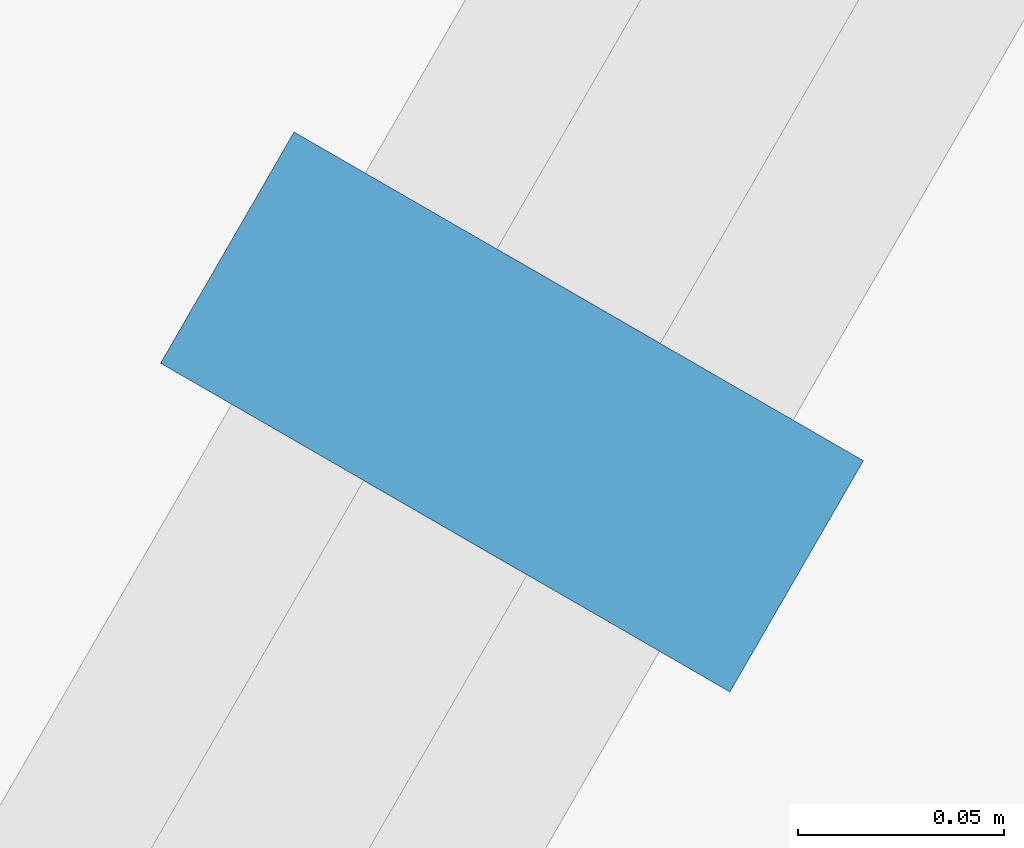
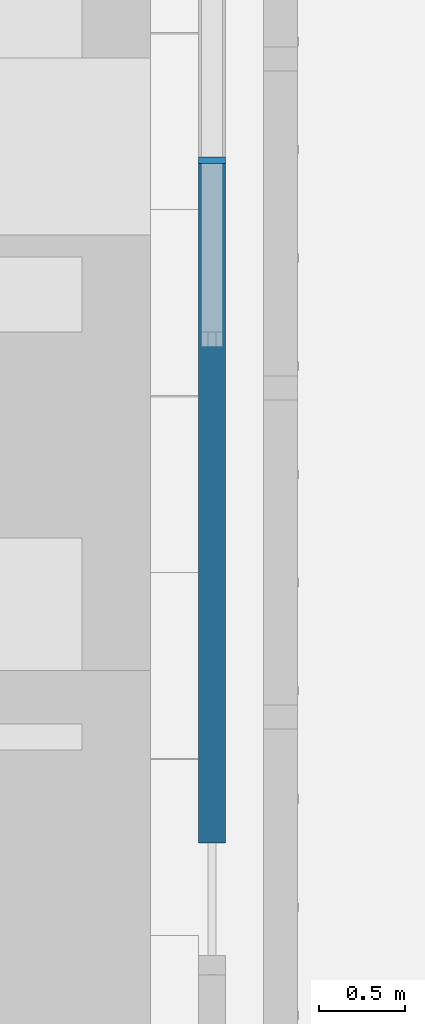
# One storey, part 105 of 228: 1 member, 1 element without a shape of its own.
"""IFC4 building model written with IfcOpenShell, lengths in metres."""

from ifc_helpers import new_model, si_unit, direction, frame, origin, origin_2d, place, context, subcontext, project, spatial, rectangle, extrude, material, material_profile, profile_set, type_object, element, aggregate, save


model = new_model("IFC4")

# Units and contexts
model_context = context("Model", 3, precision=1e-05, world=origin(), true_north=direction((0.0, 1.0)))
body_context = subcontext(model_context, "Body", "Model", "MODEL_VIEW")
ifc_project = project(units=[si_unit("LENGTHUNIT", "METRE"), si_unit("AREAUNIT", "SQUARE_METRE"), si_unit("VOLUMEUNIT", "CUBIC_METRE"), si_unit("PLANEANGLEUNIT", "RADIAN"), si_unit("MASSUNIT", "GRAM", prefix="KILO")], contexts=[model_context])

# Site, building, storey
site_placement = place(None, origin())
site = spatial("IfcSite", under=ifc_project, at=site_placement, CompositionType="ELEMENT")
building_placement = place(site_placement, origin())
building = spatial("IfcBuilding", under=site, at=building_placement, Name="Sandreach Pilgrim Tower", CompositionType="ELEMENT")
storey_placement = place(building_placement, frame((0.0, 0.0, 178.199951171875)))
storey = spatial("IfcBuildingStorey", under=building, at=storey_placement, Name="L44", CompositionType="ELEMENT", Elevation=178.199951171875)

# Curtain wall, member
ifc_material_1 = material(Name="Aluminium framed curtain wall", Category="aluminium")
curtain_wall_type = type_object("IfcCurtainWallType", Name="Upper hotel tower curtain wall", PredefinedType="NOTDEFINED", material=ifc_material_1)
curtain_wall_placement = place(storey_placement, origin())
curtain_wall = element("IfcCurtainWall", 1, at=curtain_wall_placement, inside=storey, type_object=curtain_wall_type, Name="CW-3 L44 SE", PredefinedType="NOTDEFINED")
ifc_material_2 = material(Name="Aluminium extrusion", Category="aluminium")
ifc_material_profile = material_profile(ifc_material_2, rectangle(XDim=0.06494140625, YDim=0.159912109375, at=origin_2d()), Name="CW-3M 65X160")
ifc_profile_set = profile_set([ifc_material_profile], Name="Aluminium extrusion")
member_type = type_object("IfcMemberType", Name="CW-3 mullion", PredefinedType="MULLION", material=ifc_profile_set)
member_placement = place(storey_placement, frame((19.291259765625, -8.90673828125, 0.0), z_axis=(0.0, 0.0, 1.0), x_axis=(-0.5, -0.866025403784, 0.0)))
member = element("IfcMember", 2, at=member_placement, type_object=member_type, Name="CW-3 mullion 5", PredefinedType="MULLION", context=body_context, shape_type="SweptSolid", body=[
    extrude(rectangle(XDim=0.06494140625, YDim=0.159912109375, at=origin_2d()), origin(), (0.0, 0.0, 1.0), 4.840087890625),
])
aggregate(curtain_wall, [member])

save(model, "model.ifc")
